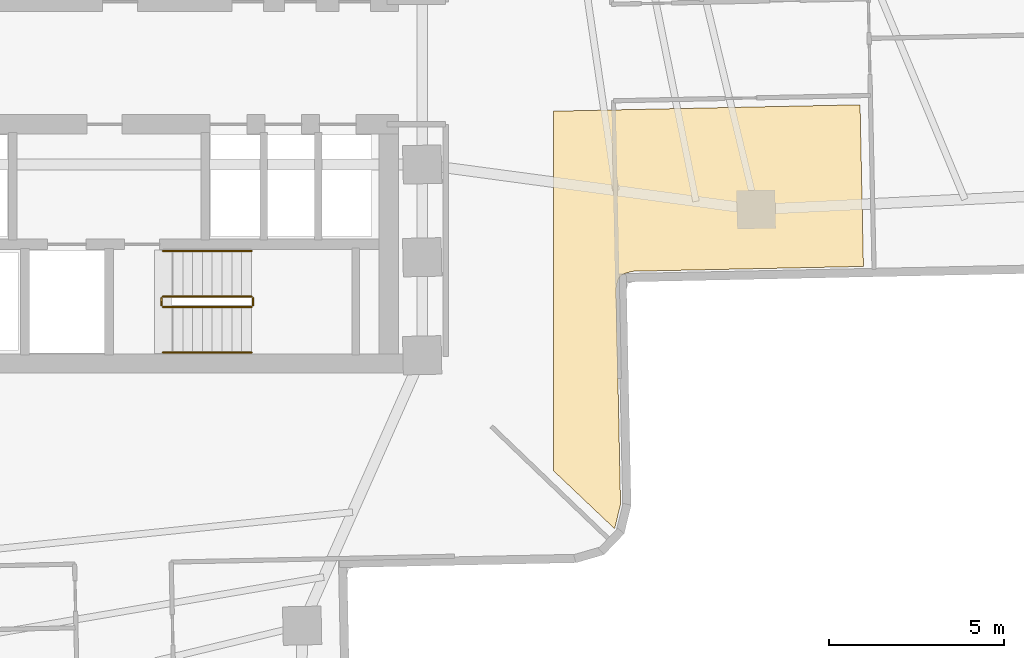
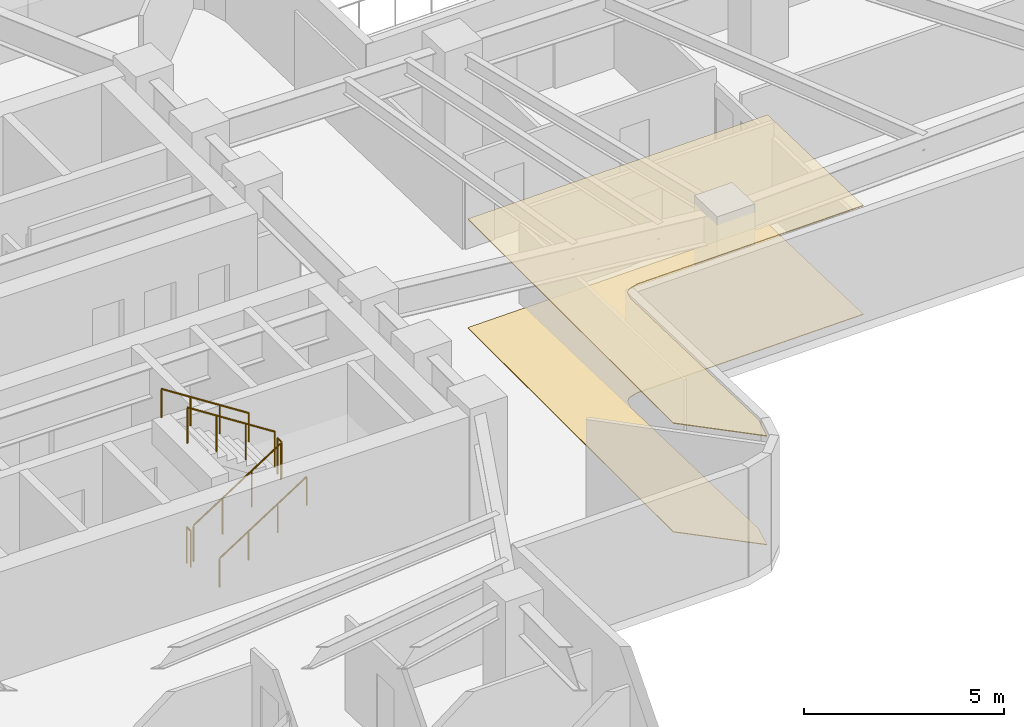
# One storey, part 13 of 15: 6 railings, 2 coverings.
"""IFC4 building model written with IfcOpenShell, lengths in metres."""

from ifc_helpers import new_model, si_unit, direction, frame, origin, origin_2d, place, context, subcontext, project, spatial, polyline, circle, outline, extrude, material, layer, layer_set, type_object, element, save


model = new_model("IFC4")

# Units and contexts
model_context = context("Model", 3, precision=1e-05, world=origin(), true_north=direction((0.0, 1.0)))
body_context = subcontext(model_context, "Body", "Model", "MODEL_VIEW")
ifc_project = project(units=[si_unit("LENGTHUNIT", "METRE"), si_unit("AREAUNIT", "SQUARE_METRE"), si_unit("VOLUMEUNIT", "CUBIC_METRE"), si_unit("PLANEANGLEUNIT", "RADIAN"), si_unit("MASSUNIT", "GRAM", prefix="KILO")], contexts=[model_context])

# Site, building, storey
site_placement = place(None, origin())
site = spatial("IfcSite", under=ifc_project, at=site_placement, CompositionType="ELEMENT")
building_placement = place(site_placement, origin())
building = spatial("IfcBuilding", under=site, at=building_placement, Name="Solmarez Civic Tower", CompositionType="ELEMENT")
storey_placement = place(building_placement, frame((0.0, 0.0, 38.8798828125)))
storey = spatial("IfcBuildingStorey", under=building, at=storey_placement, Name="L09", CompositionType="ELEMENT", Elevation=38.8798828125)

# Coverings
ifc_material_1 = material(Name="Perforated Mineral-Fibre Acoustic Ceiling")
ifc_layer_1 = layer(ifc_material_1, 0.02490234375)
ifc_layer_set_1 = layer_set([ifc_layer_1], Name="Perforated Mineral-Fibre Acoustic Ceiling")
covering_type_1 = type_object("IfcCoveringType", Name="COV-CEIL-ACOUSTIC", PredefinedType="CEILING", material=ifc_layer_set_1)
covering_1_placement = place(storey_placement, frame((0.0, 0.0, 3.315185546875)))
element("IfcCovering", 1, at=covering_1_placement, inside=storey, type_object=covering_type_1, Name="L09 Suspended Acoustic Ceiling 3", PredefinedType="CEILING", context=body_context, shape_type="SweptSolid", body=[
    extrude(outline(polyline([(12.60009765625, -1.3759765625), (12.60009765625, -11.64794921875), (14.343994140625, -13.302001953125), (14.347900390625, -13.297119140625), (14.51708984375, -12.610107421875), (14.388916015625, -6.466064453125), (14.388916015625, -6.458984375), (14.39111328125, -6.427978515625), (14.39208984375, -6.4208984375), (14.39306640625, -6.4140625), (14.39697265625, -6.39306640625), (14.43798828125, -6.22607421875), (14.43994140625, -6.218017578125), (14.44189453125, -6.2109375), (14.451904296875, -6.18408203125), (14.455078125, -6.177001953125), (14.4580078125, -6.169921875), (14.467041015625, -6.15087890625), (14.47802734375, -6.133056640625), (14.490966796875, -6.115966796875), (14.4990234375, -6.10595703125), (14.512939453125, -6.089111328125), (14.51904296875, -6.0830078125), (14.52392578125, -6.077880859375), (14.5390625, -6.06494140625), (14.553955078125, -6.052978515625), (14.572021484375, -6.0419921875), (14.587890625, -6.032958984375), (14.60595703125, -6.02392578125), (14.613037109375, -6.02099609375), (14.639892578125, -6.010986328125), (14.64599609375, -6.010009765625), (14.81201171875, -5.9609375), (14.819091796875, -5.958984375), (14.847900390625, -5.952880859375), (14.85498046875, -5.951904296875), (14.862060546875, -5.950927734375), (14.887939453125, -5.948974609375), (21.4560546875, -5.81201171875), (21.360107421875, -1.193115234375), (12.60009765625, -1.3759765625)])), origin(), (0.0, 0.0, 1.0), 0.02490234375),
])
ifc_material_2 = material(Name="Polished Tropical Stone Terrazzo Flooring", Category="masonry")
ifc_layer_2 = layer(ifc_material_2, 0.02001953125)
ifc_layer_set_2 = layer_set([ifc_layer_2], Name="Polished Tropical Stone Terrazzo Flooring")
covering_type_2 = type_object("IfcCoveringType", Name="COV-FLOOR-TERRAZZO", PredefinedType="FLOORING", material=ifc_layer_set_2)
covering_2_placement = place(storey_placement, origin())
element("IfcCovering", 2, at=covering_2_placement, inside=storey, type_object=covering_type_2, Name="L09 Terrazzo Floor Finish 3", PredefinedType="FLOORING", context=body_context, shape_type="SweptSolid", body=[
    extrude(outline(polyline([(12.60009765625, -1.3759765625), (12.60009765625, -11.64794921875), (14.343994140625, -13.302001953125), (14.347900390625, -13.297119140625), (14.51708984375, -12.610107421875), (14.388916015625, -6.466064453125), (14.388916015625, -6.458984375), (14.39111328125, -6.427978515625), (14.39208984375, -6.4208984375), (14.39306640625, -6.4140625), (14.39697265625, -6.39306640625), (14.43798828125, -6.22607421875), (14.43994140625, -6.218017578125), (14.44189453125, -6.2109375), (14.451904296875, -6.18408203125), (14.455078125, -6.177001953125), (14.4580078125, -6.169921875), (14.467041015625, -6.15087890625), (14.47802734375, -6.133056640625), (14.490966796875, -6.115966796875), (14.4990234375, -6.10595703125), (14.512939453125, -6.089111328125), (14.51904296875, -6.0830078125), (14.52392578125, -6.077880859375), (14.5390625, -6.06494140625), (14.553955078125, -6.052978515625), (14.572021484375, -6.0419921875), (14.587890625, -6.032958984375), (14.60595703125, -6.02392578125), (14.613037109375, -6.02099609375), (14.639892578125, -6.010986328125), (14.64599609375, -6.010009765625), (14.81201171875, -5.9609375), (14.819091796875, -5.958984375), (14.847900390625, -5.952880859375), (14.85498046875, -5.951904296875), (14.862060546875, -5.950927734375), (14.887939453125, -5.948974609375), (21.4560546875, -5.81201171875), (21.360107421875, -1.193115234375), (12.60009765625, -1.3759765625)])), origin(), (0.0, 0.0, 1.0), 0.02001953125),
])

# Railings
ifc_material_3 = material(Name="Painted Steel Stairwell Safety Guard", Category="steel")
railing_type_1 = type_object("IfcRailingType", Name="GUARD-STAIR-1120", PredefinedType="BALUSTRADE", material=ifc_material_3)
railing_1_placement = place(storey_placement, frame((1.449951171875, -6.969970703125, 0.18017578125)))
element("IfcRailing", 3, at=railing_1_placement, inside=storey, type_object=railing_type_1, Name="L09 ST-2 stair guard 1", PredefinedType="BALUSTRADE", context=body_context, shape_type="SweptSolid", body=[
    extrude(circle(Radius=0.02392578125, at=origin_2d()), frame((0.0, 0.0, 1.09619140625), z_axis=(0.841199657755, 0.0, 0.540724639528), x_axis=(0.0, 1.0, 0.0)), (0.0, 0.0, 1.0), 2.995849609375),
    extrude(circle(Radius=0.02099609375, at=origin_2d()), origin(), (0.0, 0.0, 1.0), 1.072021484375),
    extrude(circle(Radius=0.02099609375, at=origin_2d()), frame((0.840087890625, 0.0, 0.5400390625)), (0.0, 0.0, 1.0), 1.072021484375),
    extrude(circle(Radius=0.02099609375, at=origin_2d()), frame((1.679931640625, 0.0, 1.079833984375)), (0.0, 0.0, 1.0), 1.072021484375),
    extrude(circle(Radius=0.02099609375, at=origin_2d()), frame((2.52001953125, 0.0, 1.619873046875)), (0.0, 0.0, 1.0), 1.072021484375),
])
railing_2_placement = place(storey_placement, frame((4.02001953125, -6.919921875, 1.800048828125)))
element("IfcRailing", 4, at=railing_2_placement, inside=storey, type_object=railing_type_1, Name="L09 ST-2 stair guard 2", PredefinedType="BALUSTRADE", context=body_context, shape_type="SweptSolid", body=[
    extrude(circle(Radius=0.02392578125, at=origin_2d()), frame((0.0, 0.0, 1.09619140625), z_axis=(0.0, 1.0, 0.0), x_axis=(-1.0, 0.0, 0.0)), (0.0, 0.0, 1.0), 0.199951171875),
    extrude(circle(Radius=0.02099609375, at=origin_2d()), origin(), (0.0, 0.0, 1.0), 1.072021484375),
    extrude(circle(Radius=0.02099609375, at=origin_2d()), frame((0.0, 0.199951171875, 0.0)), (0.0, 0.0, 1.0), 1.072021484375),
])
railing_3_placement = place(storey_placement, frame((3.969970703125, -6.669921875, 1.980224609375)))
element("IfcRailing", 5, at=railing_3_placement, inside=storey, type_object=railing_type_1, Name="L09 ST-2 stair guard 3", PredefinedType="BALUSTRADE", context=body_context, shape_type="SweptSolid", body=[
    extrude(circle(Radius=0.02392578125, at=origin_2d()), frame((0.0, 0.0, 1.09619140625), z_axis=(-0.841199657755, 0.0, 0.540724639528), x_axis=(0.0, -1.0, 0.0)), (0.0, 0.0, 1.0), 2.995849609375),
    extrude(circle(Radius=0.02099609375, at=origin_2d()), origin(), (0.0, 0.0, 1.0), 1.072021484375),
    extrude(circle(Radius=0.02099609375, at=origin_2d()), frame((-0.840087890625, 0.0, 0.5400390625)), (0.0, 0.0, 1.0), 1.072021484375),
    extrude(circle(Radius=0.02099609375, at=origin_2d()), frame((-1.679931640625, 0.0, 1.079833984375)), (0.0, 0.0, 1.0), 1.072021484375),
    extrude(circle(Radius=0.02099609375, at=origin_2d()), frame((-2.52001953125, 0.0, 1.619873046875)), (0.0, 0.0, 1.0), 1.072021484375),
])
railing_4_placement = place(storey_placement, frame((1.39990234375, -6.919921875, 0.0)))
element("IfcRailing", 6, at=railing_4_placement, inside=storey, type_object=railing_type_1, Name="L09 ST-2 stair guard 4", PredefinedType="BALUSTRADE", context=body_context, shape_type="SweptSolid", body=[
    extrude(circle(Radius=0.02392578125, at=origin_2d()), frame((0.0, 0.0, 1.09619140625), z_axis=(0.0, 1.0, 0.0), x_axis=(-1.0, 0.0, 0.0)), (0.0, 0.0, 1.0), 0.199951171875),
    extrude(circle(Radius=0.02099609375, at=origin_2d()), origin(), (0.0, 0.0, 1.0), 1.072021484375),
    extrude(circle(Radius=0.02099609375, at=origin_2d()), frame((0.0, 0.199951171875, 0.0)), (0.0, 0.0, 1.0), 1.072021484375),
])
ifc_material_4 = material(Name="Brushed Stainless Steel Tube Handrail", Category="steel")
railing_type_2 = type_object("IfcRailingType", Name="HANDRAIL-STAIR-900", PredefinedType="HANDRAIL", material=ifc_material_4)
railing_5_placement = place(storey_placement, frame((1.449951171875, -8.27001953125, 0.18017578125)))
element("IfcRailing", 7, at=railing_5_placement, inside=storey, type_object=railing_type_2, Name="L09 ST-2 stair handrail 1", PredefinedType="HANDRAIL", context=body_context, shape_type="SweptSolid", body=[
    extrude(circle(Radius=0.02392578125, at=origin_2d()), frame((0.0, 0.0, 0.8759765625), z_axis=(0.841199657755, 0.0, 0.540724639528), x_axis=(0.0, 1.0, 0.0)), (0.0, 0.0, 1.0), 2.995849609375),
    extrude(circle(Radius=0.02099609375, at=origin_2d()), origin(), (0.0, 0.0, 1.0), 0.851806640625),
    extrude(circle(Radius=0.02099609375, at=origin_2d()), frame((0.840087890625, 0.0, 0.5400390625)), (0.0, 0.0, 1.0), 0.851806640625),
    extrude(circle(Radius=0.02099609375, at=origin_2d()), frame((1.679931640625, 0.0, 1.079833984375)), (0.0, 0.0, 1.0), 0.851806640625),
    extrude(circle(Radius=0.02099609375, at=origin_2d()), frame((2.52001953125, 0.0, 1.619873046875)), (0.0, 0.0, 1.0), 0.851806640625),
])
railing_6_placement = place(storey_placement, frame((3.969970703125, -5.3701171875, 1.980224609375)))
element("IfcRailing", 8, at=railing_6_placement, inside=storey, type_object=railing_type_2, Name="L09 ST-2 stair handrail 2", PredefinedType="HANDRAIL", context=body_context, shape_type="SweptSolid", body=[
    extrude(circle(Radius=0.02392578125, at=origin_2d()), frame((0.0, 0.0, 0.8759765625), z_axis=(-0.841199657755, 0.0, 0.540724639528), x_axis=(0.0, -1.0, 0.0)), (0.0, 0.0, 1.0), 2.995849609375),
    extrude(circle(Radius=0.02099609375, at=origin_2d()), origin(), (0.0, 0.0, 1.0), 0.851806640625),
    extrude(circle(Radius=0.02099609375, at=origin_2d()), frame((-0.840087890625, 0.0, 0.5400390625)), (0.0, 0.0, 1.0), 0.851806640625),
    extrude(circle(Radius=0.02099609375, at=origin_2d()), frame((-1.679931640625, 0.0, 1.079833984375)), (0.0, 0.0, 1.0), 0.851806640625),
    extrude(circle(Radius=0.02099609375, at=origin_2d()), frame((-2.52001953125, 0.0, 1.619873046875)), (0.0, 0.0, 1.0), 0.851806640625),
])

save(model, "model.ifc")
